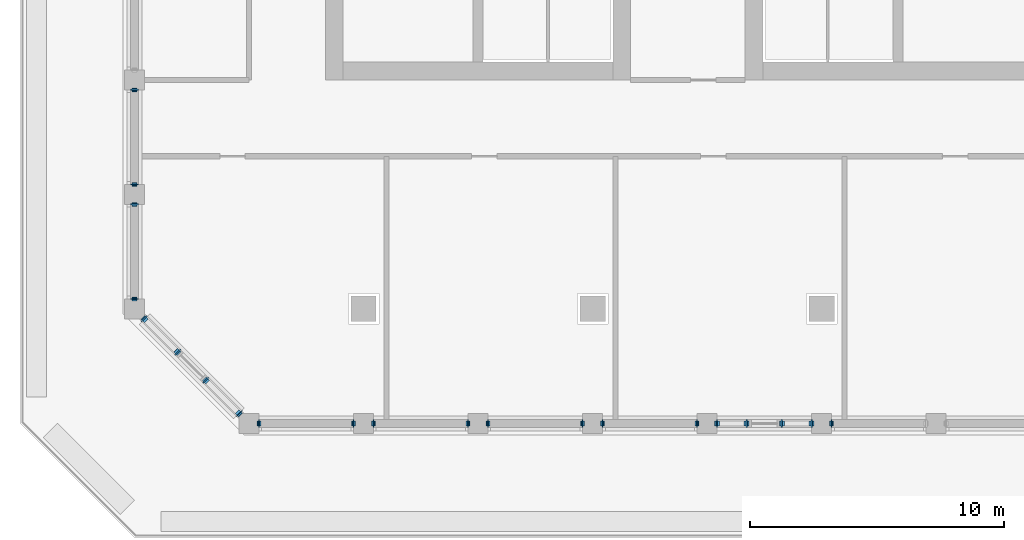
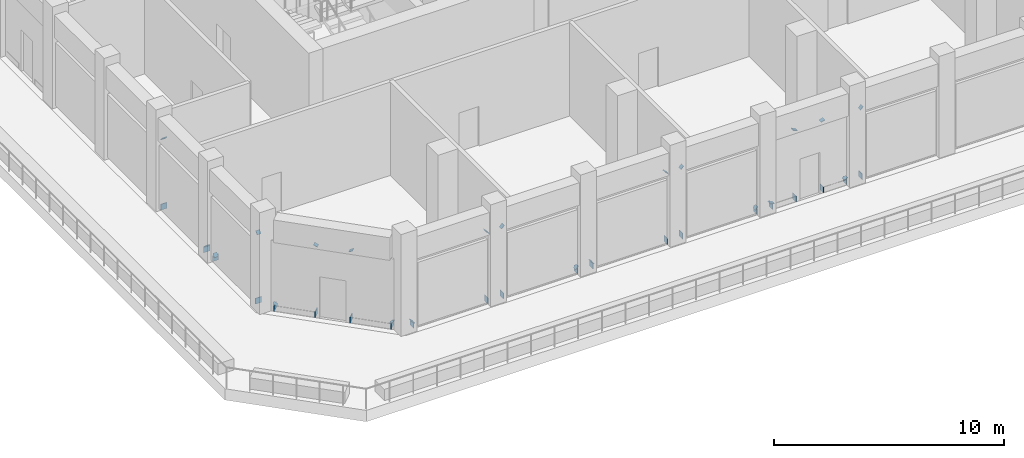
# One storey, part 9 of 19: 42 discrete accessories.
"""IFC4 building model written with IfcOpenShell, lengths in metres."""

from ifc_helpers import new_model, si_unit, direction, frame, origin, origin_2d, place, context, subcontext, project, spatial, rectangle, extrude, material, material_profile, profile_set, type_object, element, save


model = new_model("IFC4")

# Units and contexts
model_context = context("Model", 3, precision=1e-05, world=origin(), true_north=direction((0.0, 1.0)))
body_context = subcontext(model_context, "Body", "Model", "MODEL_VIEW")
ifc_project = project(units=[si_unit("LENGTHUNIT", "METRE"), si_unit("AREAUNIT", "SQUARE_METRE"), si_unit("VOLUMEUNIT", "CUBIC_METRE"), si_unit("PLANEANGLEUNIT", "RADIAN"), si_unit("MASSUNIT", "GRAM", prefix="KILO")], contexts=[model_context])

# Site, building, storey
site_placement = place(None, origin())
site = spatial("IfcSite", under=ifc_project, at=site_placement, CompositionType="ELEMENT")
building_placement = place(site_placement, origin())
building = spatial("IfcBuilding", under=site, at=building_placement, Name="Corbel Stack Research Tower", CompositionType="ELEMENT")
storey_placement = place(building_placement, frame((0.0, 0.0, 226.199951171875)))
storey = spatial("IfcBuildingStorey", under=building, at=storey_placement, Name="L51", CompositionType="ELEMENT", Elevation=226.199951171875)

# Discrete accessories
ifc_material_1 = material(Name="Steel S355", Category="steel")
ifc_material_profile_1 = material_profile(ifc_material_1, rectangle(XDim=0.202880859375, YDim=0.202880859375, at=origin_2d()), Name="End plate 203x203x25")
ifc_profile_set_1 = profile_set([ifc_material_profile_1], Name="Steel S355")
discrete_accessory_type_1 = type_object("IfcDiscreteAccessoryType", Name="End plate 203x203x25", PredefinedType="ANCHORPLATE", material=ifc_profile_set_1)
for number, where, z_axis, x_axis, name in (
    (1, (-13.10009765625, -22.5, 0.30810546875), (-0.731055268243, 0.0, -0.68231825036), (0.0, -1.0, 0.0), "Belt truss end plate L51-01d1"),
    (2, (-9.39990234375, -22.5, 3.75), (0.731055268243, 0.0, 0.68231825036), (0.0, 1.0, 0.0), "Belt truss end plate L51-01d2"),
    (3, (-4.89990234375, -22.5, 0.30810546875), (0.731055268243, 0.0, -0.68231825036), (0.0, 1.0, 0.0), "Belt truss end plate L51-02d1"),
    (4, (-8.60009765625, -22.5, 3.75), (-0.731055268243, 0.0, 0.68231825036), (0.0, -1.0, 0.0), "Belt truss end plate L51-02d2"),
    (5, (-4.10009765625, -22.5, 0.30810546875), (-0.731055268243, 0.0, -0.68231825036), (0.0, -1.0, 0.0), "Belt truss end plate L51-03d1"),
    (6, (-0.39990234375, -22.5, 3.75), (0.731055268243, 0.0, 0.68231825036), (0.0, 1.0, 0.0), "Belt truss end plate L51-03d2"),
    (7, (4.10009765625, -22.5, 0.30810546875), (0.731055268243, 0.0, -0.68231825036), (0.0, 1.0, 0.0), "Belt truss end plate L51-04d1"),
    (8, (0.39990234375, -22.5, 3.75), (-0.731055268243, 0.0, 0.68231825036), (0.0, -1.0, 0.0), "Belt truss end plate L51-04d2"),
):
    element("IfcDiscreteAccessory", number, at=place(storey_placement, frame(where, z_axis=z_axis, x_axis=x_axis)), inside=storey, type_object=discrete_accessory_type_1, Name=name, PredefinedType="ANCHORPLATE", context=body_context, shape_type="SweptSolid", body=[
        extrude(rectangle(XDim=0.202880859375, YDim=0.202880859375, at=origin_2d()), origin(), (0.0, 0.0, 1.0), 0.025146484375),
    ])
for number, where, z_axis, x_axis, name in (
    (9, (4.89990234375, -22.5, 0.30810546875), (-0.313289164578, 0.0, -0.949657780128), (0.0, -1.0, 0.0), "Belt truss end plate L51-05ad1"),
    (10, (6.050048828125, -22.5, 3.75), (0.313289164578, 0.0, 0.949657780128), (0.0, 1.0, 0.0), "Belt truss end plate L51-05ad2"),
    (11, (8.60009765625, -22.5, 0.30810546875), (0.313289164578, 0.0, -0.949657780128), (0.0, 1.0, 0.0), "Belt truss end plate L51-05bd1"),
    (12, (7.449951171875, -22.5, 3.75), (-0.313289164578, 0.0, 0.949657780128), (0.0, -1.0, 0.0), "Belt truss end plate L51-05bd2"),
):
    element("IfcDiscreteAccessory", number, at=place(storey_placement, frame(where, z_axis=z_axis, x_axis=x_axis)), inside=storey, type_object=discrete_accessory_type_1, Name=name, PredefinedType="ANCHORPLATE", context=body_context, shape_type="SweptSolid", body=[
        extrude(rectangle(XDim=0.202880859375, YDim=0.202880859375, at=origin_2d()), origin(), (0.0, 0.0, 1.0), 0.02490234375),
    ])
for number, where, z_axis, x_axis, name in (
    (13, (9.39990234375, -22.5, 3.75), (-0.731055268243, 0.0, 0.68231825036), (0.0, -1.0, 0.0), "Belt truss end plate L51-06d2"),
    (14, (-18.0, -13.10009765625, 0.30810546875), (0.0, -0.731055268243, -0.68231825036), (1.0, 0.0, 0.0), "Belt truss end plate L51-36d1"),
    (15, (-18.0, -9.39990234375, 3.75), (0.0, 0.731055268243, 0.68231825036), (-1.0, 0.0, 0.0), "Belt truss end plate L51-36d2"),
    (16, (-18.0, -13.89990234375, 0.30810546875), (0.0, 0.731055268243, -0.68231825036), (-1.0, 0.0, 0.0), "Belt truss end plate L51-37d1"),
    (17, (-18.0, -17.60009765625, 3.75), (0.0, -0.731055268243, 0.68231825036), (1.0, 0.0, 0.0), "Belt truss end plate L51-37d2"),
    (18, (-17.60009765625, -18.39990234375, 0.30810546875), (-0.33034628782, 0.33034628782, -0.884162123282), (-0.707106781187, -0.707106781187, 0.0), "Belt truss end plate L51-38ad1"),
    (19, (-16.315673828125, -19.684326171875, 3.75), (0.33034628782, -0.33034628782, 0.884162123282), (0.707106781187, 0.707106781187, 0.0), "Belt truss end plate L51-38ad2"),
    (20, (-13.89990234375, -22.10009765625, 0.30810546875), (0.33034628782, -0.33034628782, -0.884162123282), (0.707106781187, 0.707106781187, 0.0), "Belt truss end plate L51-38bd1"),
    (21, (-15.184326171875, -20.815673828125, 3.75), (-0.33034628782, 0.33034628782, 0.884162123282), (-0.707106781187, -0.707106781187, 0.0), "Belt truss end plate L51-38bd2"),
):
    element("IfcDiscreteAccessory", number, at=place(storey_placement, frame(where, z_axis=z_axis, x_axis=x_axis)), inside=storey, type_object=discrete_accessory_type_1, Name=name, PredefinedType="ANCHORPLATE", context=body_context, shape_type="SweptSolid", body=[
        extrude(rectangle(XDim=0.202880859375, YDim=0.202880859375, at=origin_2d()), origin(), (0.0, 0.0, 1.0), 0.025146484375),
    ])
ifc_material_2 = material(Name="Steel S355", Category="steel")
ifc_material_profile_2 = material_profile(ifc_material_2, rectangle(XDim=0.304931640625, YDim=0.30810546875, at=origin_2d()), Name="End plate 305x308x25")
ifc_profile_set_2 = profile_set([ifc_material_profile_2], Name="Steel S355")
discrete_accessory_type_2 = type_object("IfcDiscreteAccessoryType", Name="End plate 305x308x25", PredefinedType="ANCHORPLATE", material=ifc_profile_set_2)
for number, where, z_axis, x_axis, name in (
    (22, (-13.10009765625, -22.5, 0.154052734375), (-1.0, 0.0, 0.0), (0.0, -1.0, 0.0), "Belt truss end plate L51-01c1"),
    (23, (-9.39990234375, -22.5, 0.154052734375), (1.0, 0.0, 0.0), (0.0, 1.0, 0.0), "Belt truss end plate L51-01c2"),
    (24, (-8.60009765625, -22.5, 0.154052734375), (-1.0, 0.0, 0.0), (0.0, -1.0, 0.0), "Belt truss end plate L51-02c1"),
    (25, (-4.89990234375, -22.5, 0.154052734375), (1.0, 0.0, 0.0), (0.0, 1.0, 0.0), "Belt truss end plate L51-02c2"),
    (26, (-4.10009765625, -22.5, 0.154052734375), (-1.0, 0.0, 0.0), (0.0, -1.0, 0.0), "Belt truss end plate L51-03c1"),
    (27, (-0.39990234375, -22.5, 0.154052734375), (1.0, 0.0, 0.0), (0.0, 1.0, 0.0), "Belt truss end plate L51-03c2"),
    (28, (0.39990234375, -22.5, 0.154052734375), (-1.0, 0.0, 0.0), (0.0, -1.0, 0.0), "Belt truss end plate L51-04c1"),
    (29, (4.10009765625, -22.5, 0.154052734375), (1.0, 0.0, 0.0), (0.0, 1.0, 0.0), "Belt truss end plate L51-04c2"),
    (30, (4.89990234375, -22.5, 0.154052734375), (-1.0, 0.0, 0.0), (0.0, -1.0, 0.0), "Belt truss end plate L51-05ac1"),
    (31, (6.050048828125, -22.5, 0.154052734375), (1.0, 0.0, 0.0), (0.0, 1.0, 0.0), "Belt truss end plate L51-05ac2"),
    (32, (7.449951171875, -22.5, 0.154052734375), (-1.0, 0.0, 0.0), (0.0, -1.0, 0.0), "Belt truss end plate L51-05bc1"),
    (33, (8.60009765625, -22.5, 0.154052734375), (1.0, 0.0, 0.0), (0.0, 1.0, 0.0), "Belt truss end plate L51-05bc2"),
    (34, (9.39990234375, -22.5, 0.154052734375), (-1.0, 0.0, 0.0), (0.0, -1.0, 0.0), "Belt truss end plate L51-06c1"),
    (35, (-18.0, -9.39990234375, 0.154052734375), (0.0, 1.0, 0.0), (-1.0, 0.0, 0.0), "Belt truss end plate L51-36c1"),
    (36, (-18.0, -13.10009765625, 0.154052734375), (0.0, -1.0, 0.0), (1.0, 0.0, 0.0), "Belt truss end plate L51-36c2"),
    (37, (-18.0, -13.89990234375, 0.154052734375), (0.0, 1.0, 0.0), (-1.0, 0.0, 0.0), "Belt truss end plate L51-37c1"),
    (38, (-18.0, -17.60009765625, 0.154052734375), (0.0, -1.0, 0.0), (1.0, 0.0, 0.0), "Belt truss end plate L51-37c2"),
    (39, (-17.60009765625, -18.39990234375, 0.154052734375), (-0.707106781187, 0.707106781187, 0.0), (-0.707106781187, -0.707106781187, 0.0), "Belt truss end plate L51-38ac1"),
    (40, (-16.315673828125, -19.684326171875, 0.154052734375), (0.707106781187, -0.707106781187, 0.0), (0.707106781187, 0.707106781187, 0.0), "Belt truss end plate L51-38ac2"),
    (41, (-15.184326171875, -20.815673828125, 0.154052734375), (-0.707106781187, 0.707106781187, 0.0), (-0.707106781187, -0.707106781187, 0.0), "Belt truss end plate L51-38bc1"),
    (42, (-13.89990234375, -22.10009765625, 0.154052734375), (0.707106781187, -0.707106781187, 0.0), (0.707106781187, 0.707106781187, 0.0), "Belt truss end plate L51-38bc2"),
):
    element("IfcDiscreteAccessory", number, at=place(storey_placement, frame(where, z_axis=z_axis, x_axis=x_axis)), inside=storey, type_object=discrete_accessory_type_2, Name=name, PredefinedType="ANCHORPLATE", context=body_context, shape_type="SweptSolid", body=[
        extrude(rectangle(XDim=0.304931640625, YDim=0.30810546875, at=origin_2d()), origin(), (0.0, 0.0, 1.0), 0.02490234375),
    ])

save(model, "model.ifc")
